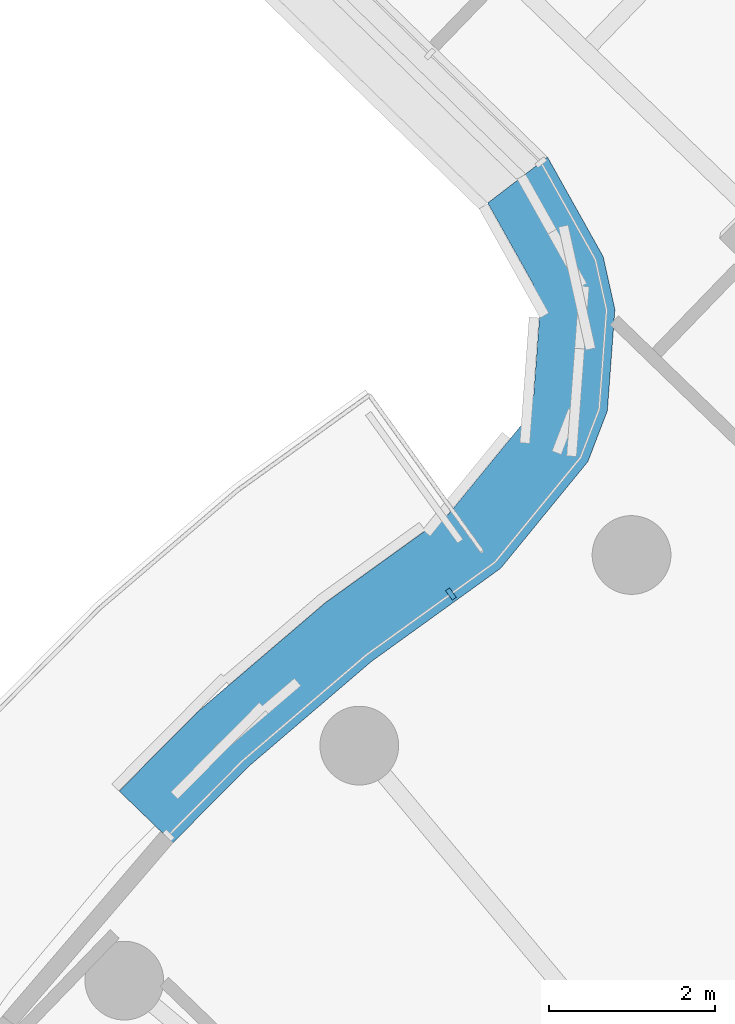
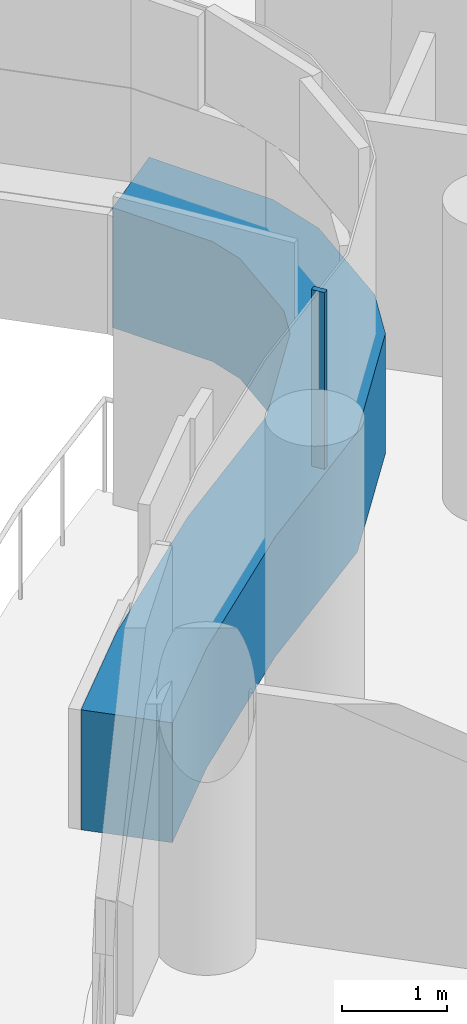
# One storey, part 10 of 31: 2 members, 1 element without a shape of its own.
"""IFC4 building model written with IfcOpenShell, lengths in metres."""

import ifcopenshell
import ifcopenshell.guid

model = None  # the IFC model being written
_history = None  # IfcOwnerHistory: only IFC2X3 demands one
_inside = {}  # id of a spatial element -> (the spatial element, [elements in it])
_under = {}  # id of a project, library or spatial element -> (it, [spatial elements below it])
_declared = {}  # id of a project -> (the project, [libraries it declares])
_typed = {}  # id of a type object -> (the type object, [elements of that type])
_made_of = {}  # id of a material, layer set ... -> (it, [elements and type objects made of it])


def new_model(schema):
    """Start an empty IFC model of exactly this schema.

    Asked for "IFC4X3", IfcOpenShell would pick the latest addendum, in which some entities
    have other attributes; the version numbers below select the first issue.
    IFC2X3 requires an IfcOwnerHistory on every rooted entity: one is made here for all.
    """
    global model, _history
    if schema == "IFC4X3":
        model = ifcopenshell.file(schema_version=(4, 3, 0, 0))
    else:
        model = ifcopenshell.file(schema=schema)
    _inside.clear()
    _under.clear()
    _declared.clear()
    _typed.clear()
    _made_of.clear()
    _history = None
    if model.schema == "IFC2X3":
        org = make("IfcOrganization", Name="unknown")
        user = make(
            "IfcPersonAndOrganization",
            ThePerson=make("IfcPerson", FamilyName="unknown"),
            TheOrganization=org,
        )
        app = make(
            "IfcApplication",
            ApplicationDeveloper=org,
            Version="unknown",
            ApplicationFullName="unknown",
            ApplicationIdentifier="unknown",
        )
        _history = make(
            "IfcOwnerHistory",
            OwningUser=user,
            OwningApplication=app,
            ChangeAction="ADDED",
            CreationDate=0,
        )
    return model


def make(cls, **values):
    """One entity of the class cls with the attributes given. An attribute that is None is left unset."""
    return model.create_entity(
        cls, **{name: value for name, value in values.items() if value is not None}
    )


def rooted(cls, **values):
    """An entity with a GlobalId (a new one), such as an element, a storey or a relation."""
    return make(cls, GlobalId=ifcopenshell.guid.new(), OwnerHistory=_history, **values)


def si_unit(unit_type, name, prefix=None):
    """IfcSIUnit, for example si_unit("LENGTHUNIT", "METRE", prefix="MILLI")."""
    return make("IfcSIUnit", UnitType=unit_type, Prefix=prefix, Name=name)


def assignment(units):
    """IfcUnitAssignment: the units of a project."""
    return None if units is None else make("IfcUnitAssignment", Units=units)


def point(xyz):
    """IfcCartesianPoint."""
    return None if xyz is None else make("IfcCartesianPoint", Coordinates=xyz)


def direction(xyz):
    """IfcDirection."""
    return None if xyz is None else make("IfcDirection", DirectionRatios=xyz)


def frame(location, z_axis=None, x_axis=None):
    """IfcAxis2Placement3D, a coordinate frame: its origin and axes. An axis left out is left unset."""
    return make(
        "IfcAxis2Placement3D",
        Location=point(location),
        Axis=direction(z_axis),
        RefDirection=direction(x_axis),
    )


def frame_2d(location, x_axis=None):
    """IfcAxis2Placement2D, a coordinate frame in the plane: its origin and x axis."""
    return make(
        "IfcAxis2Placement2D", Location=point(location), RefDirection=direction(x_axis)
    )


def origin():
    """The frame at (0, 0, 0) with its axes left unset."""
    return frame((0.0, 0.0, 0.0))


def origin_2d():
    """The frame at (0, 0) in the plane with its x axis left unset."""
    return frame_2d((0.0, 0.0))


def place(relative_to, where):
    """IfcLocalPlacement: puts the frame where relative to a parent placement (None: the world)."""
    return make(
        "IfcLocalPlacement", PlacementRelTo=relative_to, RelativePlacement=where
    )


def context(
    kind, dimensions, precision=None, world=None, true_north=None, identifier=None
):
    """IfcGeometricRepresentationContext, for example the 3D "Model" context."""
    return make(
        "IfcGeometricRepresentationContext",
        ContextIdentifier=identifier,
        ContextType=kind,
        CoordinateSpaceDimension=dimensions,
        Precision=precision,
        WorldCoordinateSystem=world,
        TrueNorth=true_north,
    )


def subcontext(parent, identifier, kind, view, scale=None):
    """IfcGeometricRepresentationSubContext, for example "Body" below "Model"."""
    return make(
        "IfcGeometricRepresentationSubContext",
        ContextIdentifier=identifier,
        ContextType=kind,
        ParentContext=parent,
        TargetScale=scale,
        TargetView=view,
    )


def project(units=None, contexts=None):
    """IfcProject with its units and contexts."""
    return rooted(
        "IfcProject",
        Name="project",
        RepresentationContexts=contexts,
        UnitsInContext=assignment(units),
    )


def spatial(cls, under=None, at=None, **own):
    """A site, building, storey or space (cls), placed at a placement, below another one or the project."""
    s = rooted(cls, ObjectPlacement=at, **own)
    if under is not None:
        _under.setdefault(under.id(), (under, []))[1].append(s)
    return s


def polyline(points):
    """IfcPolyline through the points."""
    return make("IfcPolyline", Points=[point(p) for p in points])


def profile(cls, at=None, kind="AREA", **sizes):
    """A parametric profile (cls). Its sizes go by their IFC names, for example OverallWidth=200.0."""
    return make(cls, ProfileType=kind, Position=at, **sizes)


def rectangle(**sizes):
    """IfcRectangleProfileDef."""
    return profile("IfcRectangleProfileDef", **sizes)


def outline(outer, holes=None, kind="AREA"):
    """IfcArbitraryClosedProfileDef: a profile drawn as a closed curve; with holes, ...WithVoids."""
    if holes is None:
        return make("IfcArbitraryClosedProfileDef", ProfileType=kind, OuterCurve=outer)
    return make(
        "IfcArbitraryProfileDefWithVoids",
        ProfileType=kind,
        OuterCurve=outer,
        InnerCurves=holes,
    )


def extrude(swept, where, along, depth):
    """IfcExtrudedAreaSolid: the profile swept, set in the frame where, extruded along a direction by depth."""
    return make(
        "IfcExtrudedAreaSolid",
        SweptArea=swept,
        Position=where,
        ExtrudedDirection=direction(along),
        Depth=depth,
    )


def shape(context_of_items, identifier, shape_type, items):
    """IfcShapeRepresentation: the items that make up one representation, for example the "Body"."""
    return make(
        "IfcShapeRepresentation",
        ContextOfItems=context_of_items,
        RepresentationIdentifier=identifier,
        RepresentationType=shape_type,
        Items=items,
    )


def material(Name=None, Category=None):
    """IfcMaterial."""
    return make("IfcMaterial", Name=Name, Category=Category)


def layer(
    of_material, thickness, ventilated=None, Name=None, Category=None, Priority=None
):
    """IfcMaterialLayer: one layer of a wall or slab, of a material (None: an air gap)."""
    return make(
        "IfcMaterialLayer",
        Material=of_material,
        LayerThickness=thickness,
        IsVentilated=ventilated,
        Name=Name,
        Category=Category,
        Priority=Priority,
    )


def layer_set(layers, Name=None):
    """IfcMaterialLayerSet."""
    return make("IfcMaterialLayerSet", MaterialLayers=layers, LayerSetName=Name)


def material_profile(
    of_material, cross_section, Name=None, Category=None, Priority=None
):
    """IfcMaterialProfile: a cross section and its material."""
    return make(
        "IfcMaterialProfile",
        Name=Name,
        Material=of_material,
        Profile=cross_section,
        Priority=Priority,
        Category=Category,
    )


def profile_set(profiles, Name=None, composite=None):
    """IfcMaterialProfileSet."""
    return make(
        "IfcMaterialProfileSet",
        Name=Name,
        MaterialProfiles=profiles,
        CompositeProfile=composite,
    )


def made_of(thing, what):
    """Note that an element or type object is made of a material, layer set ...; save() writes the relation."""
    if what is not None:
        _made_of.setdefault(what.id(), (what, []))[1].append(thing)
    return thing


def type_object(cls, material=None, **own):
    """A type object (cls), such as IfcWallType, which elements share."""
    return made_of(rooted(cls, **own), material)


def element(
    cls,
    number,
    at=None,
    inside=None,
    cuts=None,
    type_object=None,
    material=None,
    context=None,
    identifier="Body",
    shape_type=None,
    held_by="IfcProductDefinitionShape",
    body=None,
    shapes=None,
    **own,
):
    """One element of the class cls, such as IfcWall. Its Tag is "e" and its number.

    at: its placement. inside: the storey or other place that contains it. cuts: it is an
    opening in that element (IfcRelVoidsElement). A single representation is given by context,
    identifier, shape_type and body (its items); several are given by shapes. held_by: the class
    of the entity that holds the representations. save() writes the other relations.
    """
    e = rooted(cls, Tag="e%d" % number, ObjectPlacement=at, **own)
    if body is not None:
        shapes = [shape(context, identifier, shape_type, body)]
    if shapes is not None:
        e.Representation = make(held_by, Representations=shapes)
    if inside is not None:
        _inside.setdefault(inside.id(), (inside, []))[1].append(e)
    if cuts is not None:
        rooted(
            "IfcRelVoidsElement", RelatingBuildingElement=cuts, RelatedOpeningElement=e
        )
    if type_object is not None:
        _typed.setdefault(type_object.id(), (type_object, []))[1].append(e)
    return made_of(e, material)


def aggregate(whole, parts):
    """IfcRelAggregates: a whole, such as a stair, and the parts it consists of."""
    return rooted("IfcRelAggregates", RelatingObject=whole, RelatedObjects=parts)


def save(model, path):
    """Write the relations noted so far, then the file.

    IfcRelAggregates (storeys below a building ...), IfcRelContainedInSpatialStructure (elements
    in a storey), IfcRelDefinesByType, IfcRelAssociatesMaterial and IfcRelDeclares: one each for
    every whole, place, type object, material and project.
    """
    for whole, parts in _under.values():
        aggregate(whole, parts)
    for where, things in _inside.values():
        rooted(
            "IfcRelContainedInSpatialStructure",
            RelatedElements=things,
            RelatingStructure=where,
        )
    for kind, things in _typed.values():
        rooted("IfcRelDefinesByType", RelatedObjects=things, RelatingType=kind)
    for what, things in _made_of.values():
        rooted("IfcRelAssociatesMaterial", RelatedObjects=things, RelatingMaterial=what)
    for by, libraries in _declared.values():
        rooted("IfcRelDeclares", RelatingContext=by, RelatedDefinitions=libraries)
    model.write(path)


model = new_model("IFC4")

# Units and contexts
model_context = context("Model", 3, precision=1e-05, world=origin(), true_north=direction((0.0, 1.0)))
body_context = subcontext(model_context, "Body", "Model", "MODEL_VIEW")
ifc_project = project(units=[si_unit("LENGTHUNIT", "METRE"), si_unit("AREAUNIT", "SQUARE_METRE"), si_unit("VOLUMEUNIT", "CUBIC_METRE"), si_unit("PLANEANGLEUNIT", "RADIAN"), si_unit("MASSUNIT", "GRAM", prefix="KILO")], contexts=[model_context])

# Site, building, storey
site_placement = place(None, origin())
site = spatial("IfcSite", under=ifc_project, at=site_placement, CompositionType="ELEMENT")
building_placement = place(site_placement, origin())
building = spatial("IfcBuilding", under=site, at=building_placement, Name="Tamarind Cross Interchange Tower", CompositionType="ELEMENT")
storey_placement = place(building_placement, frame((0.0, 0.0, 200.5)))
storey = spatial("IfcBuildingStorey", under=building, at=storey_placement, Name="L50", CompositionType="ELEMENT", Elevation=200.5)

# Curtain wall, members
ifc_material_1 = material(Name="Aluminium 6063-T6", Category="aluminium")
ifc_layer = layer(ifc_material_1, 0.139892578125)
ifc_layer_set = layer_set([ifc_layer], Name="Aluminium 6063-T6")
curtain_wall_type = type_object("IfcCurtainWallType", Name="Hotel curtain wall, 4.5 m bays", PredefinedType="NOTDEFINED", material=ifc_layer_set)
curtain_wall_placement = place(storey_placement, origin())
curtain_wall = element("IfcCurtainWall", 1, at=curtain_wall_placement, inside=storey, type_object=curtain_wall_type, Name="CWS-L50-10", PredefinedType="NOTDEFINED")
ifc_material_2 = material(Name="Aluminium and insulated spandrel panel", Category="aluminium")
member_type_1 = type_object("IfcMemberType", Name="Floor-edge blade transom", PredefinedType="USERDEFINED", material=ifc_material_2)
member_1_placement = place(storey_placement, origin())
member_1 = element("IfcMember", 2, at=member_1_placement, type_object=member_type_1, Name="CWT-L50-10-0", ObjectType="TRANSOM", PredefinedType="USERDEFINED", context=body_context, shape_type="SweptSolid", body=[
    extrude(outline(polyline([(-12.51318359375, 24.718505859375), (-11.841552734375, 23.518310546875), (-11.70068359375, 22.8818359375), (-11.791748046875, 21.6572265625), (-12.026611328125, 21.044921875), (-13.078857421875, 19.7578125), (-14.634521484375, 18.636474609375), (-16.12353515625, 17.3642578125), (-17.03369140625, 16.4462890625), (-17.68115234375, 17.071533203125), (-16.736572265625, 18.0244140625), (-15.19091796875, 19.3447265625), (-13.700927734375, 20.4189453125), (-12.815185546875, 21.50244140625), (-12.679443359375, 21.85595703125), (-12.60791015625, 22.816650390625), (-12.691650390625, 23.1943359375), (-13.23486328125, 24.1650390625), (-12.51318359375, 24.718505859375)])), origin(), (0.0, 0.0, 1.0), 1.39990234375),
])
ifc_material_profile = material_profile(ifc_material_1, rectangle(XDim=0.06005859375, YDim=0.139892578125, at=origin_2d()), Name="Mullion CW2")
ifc_profile_set = profile_set([ifc_material_profile], Name="Aluminium 6063-T6")
member_type_2 = type_object("IfcMemberType", Name="Mullion CW2", PredefinedType="MULLION", material=ifc_profile_set)
member_2_placement = place(storey_placement, frame((-13.678955078125, 19.448486328125, 1.39990234375), z_axis=(0.0, 0.0, 1.0), x_axis=(-0.811217394298, -0.584744678632, 0.0)))
member_2 = element("IfcMember", 3, at=member_2_placement, type_object=member_type_2, Name="CWM-L50-10-01", PredefinedType="MULLION", context=body_context, shape_type="SweptSolid", body=[
    extrude(rectangle(XDim=0.06005859375, YDim=0.139892578125, at=origin_2d()), origin(), (0.0, 0.0, 1.0), 2.06005859375),
])
aggregate(curtain_wall, [member_2, member_1])

save(model, "model.ifc")
